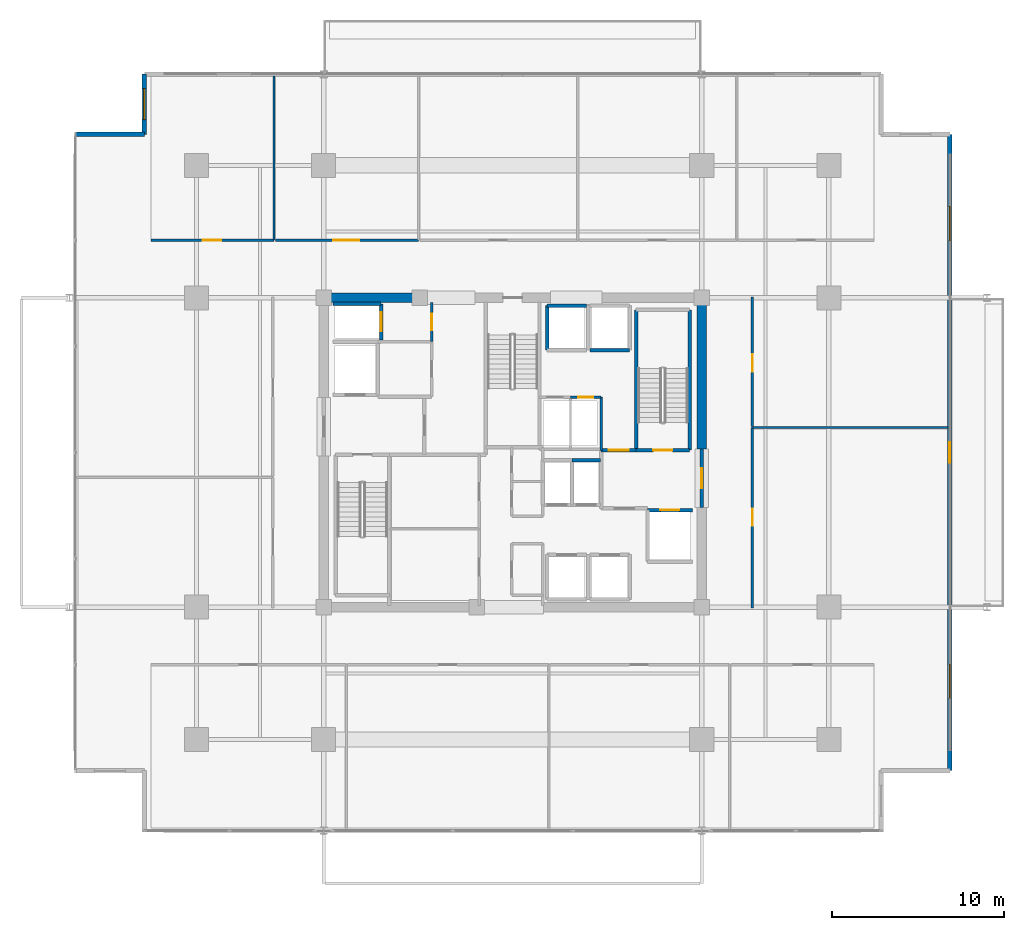
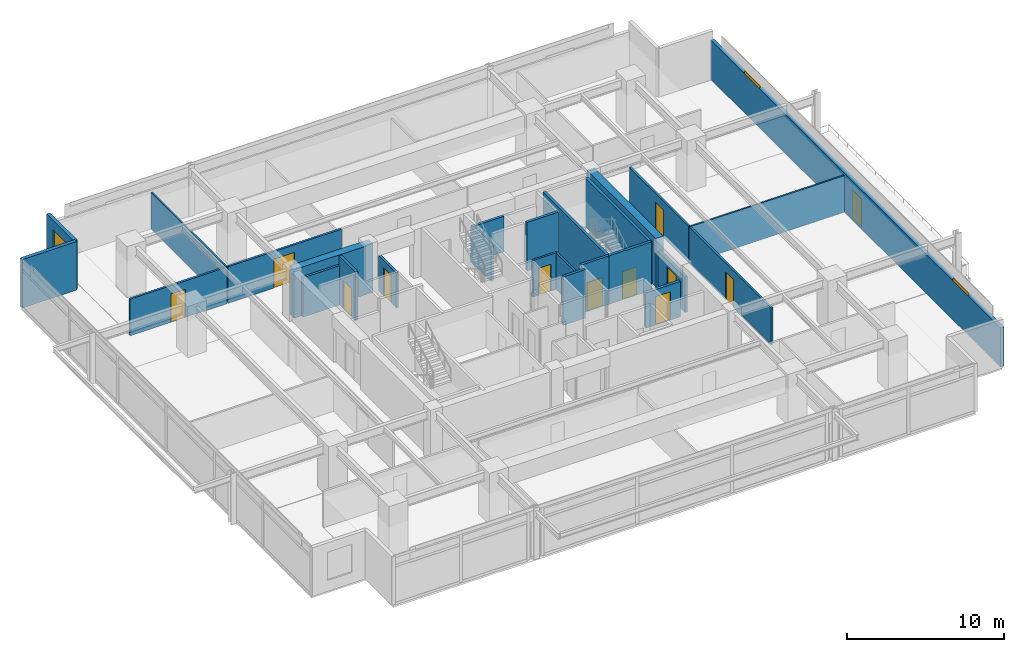
# One storey, part 16 of 21: 26 walls, 12 doors, 3 windows, 15 openings.
"""IFC4 building model written with IfcOpenShell, lengths in metres."""

from ifc_helpers import new_model, si_unit, direction, frame, frame_2d, origin, place, context, subcontext, project, spatial, rectangle, extrude, material, layer, layer_set, type_object, element, fill, save


model = new_model("IFC4")

# Units and contexts
model_context = context("Model", 3, precision=1e-05, world=origin(), true_north=direction((0.0, 1.0)))
body_context = subcontext(model_context, "Body", "Model", "MODEL_VIEW")
ifc_project = project(units=[si_unit("LENGTHUNIT", "METRE"), si_unit("AREAUNIT", "SQUARE_METRE"), si_unit("VOLUMEUNIT", "CUBIC_METRE"), si_unit("PLANEANGLEUNIT", "RADIAN"), si_unit("MASSUNIT", "GRAM", prefix="KILO")], contexts=[model_context])

# Site, building, storey
site_placement = place(None, origin())
site = spatial("IfcSite", under=ifc_project, at=site_placement, CompositionType="ELEMENT")
building_placement = place(site_placement, origin())
building = spatial("IfcBuilding", under=site, at=building_placement, Name="Kovane Verandah Tower", CompositionType="ELEMENT")
storey_placement = place(building_placement, frame((0.0, 0.0, 217.199951171875)))
storey = spatial("IfcBuildingStorey", under=building, at=storey_placement, Name="L50", CompositionType="ELEMENT", Elevation=217.199951171875)

# Wall, opening, door
ifc_material_1 = material(Name="Fire-Rated Gypsum Stud Partition", Category="gypsum")
ifc_layer_1 = layer(ifc_material_1, 0.14990234375)
ifc_layer_set_1 = layer_set([ifc_layer_1], Name="Fire-Rated Gypsum Stud Partition")
wall_type_1 = type_object("IfcWallType", Name="WL-COR-150", PredefinedType="PARTITIONING", material=ifc_layer_set_1)
wall_1_placement = place(storey_placement, frame((35.280029296875, 33.949951171875, 0.0), z_axis=(0.0, 0.0, 1.0), x_axis=(0.0, 1.0, 0.0)))
wall_1 = element("IfcWall", 1, at=wall_1_placement, inside=storey, type_object=wall_type_1, Name="L50 Goods Lift Lobby East Fire Partition", PredefinedType="PARTITIONING", context=body_context, shape_type="SweptSolid", body=[
    extrude(rectangle(XDim=2.27001953125, YDim=0.14990234375, at=frame_2d((1.135009765625, 0.0))), origin(), (0.0, 0.0, 1.0), 2.755126953125),
])
opening_1_placement = place(wall_1_placement, frame((0.659912109375, 0.0, 0.0)))
opening_1 = element("IfcOpeningElement", 2, at=opening_1_placement, cuts=wall_1, Name="Opening DR-L50-008", PredefinedType="OPENING", context=body_context, shape_type="SweptSolid", body=[
    extrude(rectangle(XDim=0.949951171875, YDim=2.14990234375, at=frame_2d((0.47509765625, 1.074951171875))), frame((0.0, 0.074951171875, 0.0), z_axis=(0.0, -1.0, 0.0), x_axis=(1.0, 0.0, 0.0)), (0.0, 0.0, 1.0), 0.14990234375),
])
ifc_material_2 = material(Name="Fire-Rated Steel Refuge and Lobby Door", Category="steel")
door_type_1 = type_object("IfcDoorType", Name="DR-FIRE-950", OperationType="SINGLE_SWING_LEFT", PredefinedType="DOOR", material=ifc_material_2)
door_1_placement = place(opening_1_placement, origin())
door_1 = element("IfcDoor", 3, at=door_1_placement, inside=storey, type_object=door_type_1, Name="L50 Goods Lift Lobby Fire Door", OperationType="SINGLE_SWING_RIGHT", OverallHeight=2.14990234375, OverallWidth=0.949951171875, PredefinedType="DOOR", context=body_context, shape_type="SweptSolid", body=[
    extrude(rectangle(XDim=0.949951171875, YDim=2.14990234375, at=frame_2d((0.47509765625, 1.074951171875))), frame((0.0, 0.02490234375, 0.0), z_axis=(0.0, -1.0, 0.0), x_axis=(1.0, 0.0, 0.0)), (0.0, 0.0, 1.0), 0.050048828125),
])
fill(opening_1, door_1)

# Wall
wall_2_placement = place(storey_placement, frame((45.14990234375, 27.6201171875, 0.0), z_axis=(0.0, 0.0, 1.0), x_axis=(0.0, 1.0, 0.0)))
element("IfcWall", 4, at=wall_2_placement, inside=storey, type_object=wall_type_1, Name="L50 East Core Service Riser East Wall", PredefinedType="PARTITIONING", context=body_context, shape_type="SweptSolid", body=[
    extrude(rectangle(XDim=3.099853515625, YDim=0.14990234375, at=frame_2d((1.5498046875, 0.0))), origin(), (0.0, 0.0, 1.0), 2.85009765625),
])

# Wall, opening, door
wall_3_placement = place(storey_placement, frame((43.360107421875, 30.719970703125, 0.0), z_axis=(0.0, 0.0, 1.0), x_axis=(1.0, 0.0, 0.0)))
wall_3 = element("IfcWall", 5, at=wall_3_placement, inside=storey, type_object=wall_type_1, Name="L50 Smoke Extract Duct Room Partition", PredefinedType="PARTITIONING", context=body_context, shape_type="SweptSolid", body=[
    extrude(rectangle(XDim=1.789794921875, YDim=0.14990234375, at=frame_2d((0.89501953125, 0.0))), origin(), (0.0, 0.0, 1.0), 2.85009765625),
])
opening_2_placement = place(wall_3_placement, frame((0.455078125, 0.0, 0.0)))
opening_2 = element("IfcOpeningElement", 6, at=opening_2_placement, cuts=wall_3, Name="Opening DR-L50-017", PredefinedType="OPENING", context=body_context, shape_type="SweptSolid", body=[
    extrude(rectangle(XDim=0.8798828125, YDim=2.10009765625, at=frame_2d((0.43994140625, 1.050048828125))), frame((0.0, 0.074951171875, 0.0), z_axis=(0.0, -1.0, 0.0), x_axis=(1.0, 0.0, 0.0)), (0.0, 0.0, 1.0), 0.14990234375),
])
ifc_material_3 = material(Name="Fire-Rated Steel Riser Access Door", Category="steel")
door_type_2 = type_object("IfcDoorType", Name="DR-RISER-880", OperationType="SINGLE_SWING_LEFT", PredefinedType="DOOR", material=ifc_material_3)
door_2_placement = place(opening_2_placement, origin())
door_2 = element("IfcDoor", 7, at=door_2_placement, inside=storey, type_object=door_type_2, Name="L50 Smoke Extract Duct Room Door", OperationType="SINGLE_SWING_LEFT", OverallHeight=2.10009765625, OverallWidth=0.8798828125, PredefinedType="DOOR", context=body_context, shape_type="SweptSolid", body=[
    extrude(rectangle(XDim=0.8798828125, YDim=2.10009765625, at=frame_2d((0.43994140625, 1.050048828125))), frame((0.0, 0.02490234375, 0.0), z_axis=(0.0, -1.0, 0.0), x_axis=(1.0, 0.0, 0.0)), (0.0, 0.0, 1.0), 0.050048828125),
])
fill(opening_2, door_2)

wall_4_placement = place(storey_placement, frame((18.962646484375, 39.85009765625, 0.0), z_axis=(0.0, 0.0, 1.0), x_axis=(1.0, 0.0, 0.0)))
wall_4 = element("IfcWall", 8, at=wall_4_placement, inside=storey, type_object=wall_type_1, Name="L50 Executive Office N1 Corridor Partition", PredefinedType="PARTITIONING", context=body_context, shape_type="SweptSolid", body=[
    extrude(rectangle(XDim=7.152587890625, YDim=0.14990234375, at=frame_2d((3.576171875, 0.0))), origin(), (0.0, 0.0, 1.0), 2.85009765625),
])
opening_3_placement = place(wall_4_placement, frame((3.016357421875, 0.0, 0.0)))
opening_3 = element("IfcOpeningElement", 9, at=opening_3_placement, cuts=wall_4, Name="Opening DR-L50-018", PredefinedType="OPENING", context=body_context, shape_type="SweptSolid", body=[
    extrude(rectangle(XDim=1.050048828125, YDim=2.199951171875, at=frame_2d((0.52490234375, 1.10009765625))), frame((0.0, 0.074951171875, 0.0), z_axis=(0.0, -1.0, 0.0), x_axis=(1.0, 0.0, 0.0)), (0.0, 0.0, 1.0), 0.14990234375),
])
ifc_material_4 = material(Name="FSC Blackbutt Timber Fire-Rated Executive Door", Category="wood")
door_type_3 = type_object("IfcDoorType", Name="DR-EXEC-1050", OperationType="SINGLE_SWING_LEFT", PredefinedType="DOOR", material=ifc_material_4)
door_3_placement = place(opening_3_placement, origin())
door_3 = element("IfcDoor", 10, at=door_3_placement, inside=storey, type_object=door_type_3, Name="L50 Executive Office N1 Entrance Door", OperationType="SINGLE_SWING_RIGHT", OverallHeight=2.199951171875, OverallWidth=1.050048828125, PredefinedType="DOOR", context=body_context, shape_type="SweptSolid", body=[
    extrude(rectangle(XDim=1.050048828125, YDim=2.199951171875, at=frame_2d((0.52490234375, 1.10009765625))), frame((0.0, 0.02490234375, 0.0), z_axis=(0.0, -1.0, 0.0), x_axis=(1.0, 0.0, 0.0)), (0.0, 0.0, 1.0), 0.050048828125),
])
fill(opening_3, door_3)

wall_5_placement = place(storey_placement, frame((26.185302734375, 39.85009765625, 0.0), z_axis=(0.0, 0.0, 1.0), x_axis=(1.0, 0.0, 0.0)))
wall_5 = element("IfcWall", 11, at=wall_5_placement, inside=storey, type_object=wall_type_1, Name="L50 Client Boardroom N2 Corridor Partition", PredefinedType="PARTITIONING", context=body_context, shape_type="SweptSolid", body=[
    extrude(rectangle(XDim=8.344970703125, YDim=0.14990234375, at=frame_2d((4.17236328125, 0.0))), origin(), (0.0, 0.0, 1.0), 2.85009765625),
])
opening_4_placement = place(wall_5_placement, frame((3.387451171875, 0.0, 0.0)))
opening_4 = element("IfcOpeningElement", 12, at=opening_4_placement, cuts=wall_5, Name="Opening DR-L50-019", PredefinedType="OPENING", context=body_context, shape_type="SweptSolid", body=[
    extrude(rectangle(XDim=1.5, YDim=2.25, at=frame_2d((0.75, 1.125))), frame((0.0, 0.074951171875, 0.0), z_axis=(0.0, -1.0, 0.0), x_axis=(1.0, 0.0, 0.0)), (0.0, 0.0, 1.0), 0.14990234375),
])
ifc_material_5 = material(Name="Glazed Timber Fire-Rated Double Door", Category="wood")
door_type_4 = type_object("IfcDoorType", Name="DR-CONF-1500", OperationType="DOUBLE_DOOR_SINGLE_SWING", PredefinedType="DOOR", material=ifc_material_5)
door_4_placement = place(opening_4_placement, origin())
door_4 = element("IfcDoor", 13, at=door_4_placement, inside=storey, type_object=door_type_4, Name="L50 Client Boardroom N2 Entrance Door", OperationType="DOUBLE_DOOR_SINGLE_SWING", OverallHeight=2.25, OverallWidth=1.5, PredefinedType="DOOR", context=body_context, shape_type="SweptSolid", body=[
    extrude(rectangle(XDim=1.5, YDim=2.25, at=frame_2d((0.75, 1.125))), frame((0.0, 0.02490234375, 0.0), z_axis=(0.0, -1.0, 0.0), x_axis=(1.0, 0.0, 0.0)), (0.0, 0.0, 1.0), 0.050048828125),
])
fill(opening_4, door_4)

wall_6_placement = place(storey_placement, frame((53.949951171875, 18.449951171875, 0.0), z_axis=(0.0, 0.0, 1.0), x_axis=(0.0, 1.0, 0.0)))
wall_6 = element("IfcWall", 14, at=wall_6_placement, inside=storey, type_object=wall_type_1, Name="L50 Focus Studio E1 Corridor Partition", PredefinedType="PARTITIONING", context=body_context, shape_type="SweptSolid", body=[
    extrude(rectangle(XDim=10.498046875, YDim=0.14990234375, at=frame_2d((5.2490234375, 0.0))), origin(), (0.0, 0.0, 1.0), 2.85009765625),
])
opening_5_placement = place(wall_6_placement, frame((4.7890625, 0.0, 0.0)))
opening_5 = element("IfcOpeningElement", 15, at=opening_5_placement, cuts=wall_6, Name="Opening DR-L50-012", PredefinedType="OPENING", context=body_context, shape_type="SweptSolid", body=[
    extrude(rectangle(XDim=1.0, YDim=2.14990234375, at=frame_2d((0.5, 1.074951171875))), frame((0.0, 0.074951171875, 0.0), z_axis=(0.0, -1.0, 0.0), x_axis=(1.0, 0.0, 0.0)), (0.0, 0.0, 1.0), 0.14990234375),
])
ifc_material_6 = material(Name="FSC Spotted-Gum Timber Fire-Rated Office Door", Category="wood")
door_type_5 = type_object("IfcDoorType", Name="DR-OFF-1000", OperationType="SINGLE_SWING_LEFT", PredefinedType="DOOR", material=ifc_material_6)
door_5_placement = place(opening_5_placement, origin())
door_5 = element("IfcDoor", 16, at=door_5_placement, inside=storey, type_object=door_type_5, Name="L50 Focus Studio E1 Entrance Door", OperationType="SINGLE_SWING_LEFT", OverallHeight=2.14990234375, OverallWidth=1.0, PredefinedType="DOOR", context=body_context, shape_type="SweptSolid", body=[
    extrude(rectangle(XDim=1.0, YDim=2.14990234375, at=frame_2d((0.5, 1.074951171875))), frame((0.0, 0.02490234375, 0.0), z_axis=(0.0, -1.0, 0.0), x_axis=(1.0, 0.0, 0.0)), (0.0, 0.0, 1.0), 0.050048828125),
])
fill(opening_5, door_5)

wall_7_placement = place(storey_placement, frame((53.949951171875, 29.01806640625, 0.0), z_axis=(0.0, 0.0, 1.0), x_axis=(0.0, 1.0, 0.0)))
wall_7 = element("IfcWall", 17, at=wall_7_placement, inside=storey, type_object=wall_type_1, Name="L50 Breakout Pantry E2 Corridor Partition", PredefinedType="PARTITIONING", context=body_context, shape_type="SweptSolid", body=[
    extrude(rectangle(XDim=7.531982421875, YDim=0.14990234375, at=frame_2d((3.76611328125, 0.0))), origin(), (0.0, 0.0, 1.0), 2.85009765625),
])
opening_6_placement = place(wall_7_placement, frame((3.19091796875, 0.0, 0.0)))
opening_6 = element("IfcOpeningElement", 18, at=opening_6_placement, cuts=wall_7, Name="Opening DR-L50-013", PredefinedType="OPENING", context=body_context, shape_type="SweptSolid", body=[
    extrude(rectangle(XDim=1.0, YDim=2.14990234375, at=frame_2d((0.5, 1.074951171875))), frame((0.0, 0.074951171875, 0.0), z_axis=(0.0, -1.0, 0.0), x_axis=(1.0, 0.0, 0.0)), (0.0, 0.0, 1.0), 0.14990234375),
])
door_6_placement = place(opening_6_placement, origin())
door_6 = element("IfcDoor", 19, at=door_6_placement, inside=storey, type_object=door_type_5, Name="L50 Breakout Pantry E2 Entrance Door", OperationType="SINGLE_SWING_RIGHT", OverallHeight=2.14990234375, OverallWidth=1.0, PredefinedType="DOOR", context=body_context, shape_type="SweptSolid", body=[
    extrude(rectangle(XDim=1.0, YDim=2.14990234375, at=frame_2d((0.5, 1.074951171875))), frame((0.0, 0.02490234375, 0.0), z_axis=(0.0, -1.0, 0.0), x_axis=(1.0, 0.0, 0.0)), (0.0, 0.0, 1.0), 0.050048828125),
])
fill(opening_6, door_6)

# Walls
ifc_material_7 = material(Name="Concrete C60/75", Category="concrete")
ifc_layer_2 = layer(ifc_material_7, 0.550048828125)
ifc_layer_set_2 = layer_set([ifc_layer_2], Name="Concrete C60/75")
wall_type_2 = type_object("IfcWallType", Name="WL-CORE-550", PredefinedType="SHEAR", material=ifc_layer_set_2)
wall_8_placement = place(storey_placement, frame((29.0, 36.5, 0.0), z_axis=(0.0, 0.0, 1.0), x_axis=(1.0, 0.0, 0.0)))
element("IfcWall", 20, at=wall_8_placement, inside=storey, type_object=wall_type_2, Name="L50 Core Shear Wall CN-1", PredefinedType="SHEAR", context=body_context, shape_type="SweptSolid", body=[
    extrude(rectangle(XDim=5.800048828125, YDim=0.550048828125, at=frame_2d((2.89990234375, 0.0))), origin(), (0.0, 0.0, 1.0), 3.775146484375),
])
wall_9_placement = place(storey_placement, frame((51.0, 27.699951171875, 0.0), z_axis=(0.0, 0.0, 1.0), x_axis=(0.0, 1.0, 0.0)))
element("IfcWall", 21, at=wall_9_placement, inside=storey, type_object=wall_type_2, Name="L50 Core Shear Wall CE-2", PredefinedType="SHEAR", context=body_context, shape_type="SweptSolid", body=[
    extrude(rectangle(XDim=8.800048828125, YDim=0.550048828125, at=frame_2d((4.39990234375, 0.0))), origin(), (0.0, 0.0, 1.0), 3.775146484375),
])

# Wall, opening, door
ifc_material_8 = material(Name="Concrete C45/55 Fire Wall", Category="concrete")
ifc_layer_3 = layer(ifc_material_8, 0.199951171875)
ifc_layer_set_3 = layer_set([ifc_layer_3], Name="Concrete C45/55 Fire Wall")
wall_type_3 = type_object("IfcWallType", Name="WL-FFL-200", PredefinedType="PARTITIONING", material=ifc_layer_set_3)
wall_10_placement = place(storey_placement, frame((45.14990234375, 27.6201171875, 0.0), z_axis=(0.0, 0.0, 1.0), x_axis=(1.0, 0.0, 0.0)))
wall_10 = element("IfcWall", 22, at=wall_10_placement, inside=storey, type_object=wall_type_3, Name="W-L50-FFLE-N", PredefinedType="PARTITIONING", context=body_context, shape_type="SweptSolid", body=[
    extrude(rectangle(XDim=2.030029296875, YDim=0.199951171875, at=frame_2d((1.01513671875, 0.0))), origin(), (0.0, 0.0, 1.0), 3.775146484375),
])
opening_7_placement = place(wall_10_placement, frame((0.43994140625, 0.0, 0.0)))
opening_7 = element("IfcOpeningElement", 23, at=opening_7_placement, cuts=wall_10, Name="Opening DR-L50-004", PredefinedType="OPENING", context=body_context, shape_type="SweptSolid", body=[
    extrude(rectangle(XDim=1.14990234375, YDim=2.199951171875, at=frame_2d((0.574951171875, 1.10009765625))), frame((0.0, 0.10009765625, 0.0), z_axis=(0.0, -1.0, 0.0), x_axis=(1.0, 0.0, 0.0)), (0.0, 0.0, 1.0), 0.199951171875),
])
ifc_material_9 = material(Name="Smoke-Sealed Firefighting Lobby Door", Category="steel")
door_type_6 = type_object("IfcDoorType", Name="DR-FFL-1150", OperationType="SINGLE_SWING_LEFT", PredefinedType="DOOR", material=ifc_material_9)
door_7_placement = place(opening_7_placement, origin())
door_7 = element("IfcDoor", 24, at=door_7_placement, inside=storey, type_object=door_type_6, Name="L50 East Firefighting Lobby Shuttle Link Door", OperationType="SINGLE_SWING_LEFT", OverallHeight=2.199951171875, OverallWidth=1.14990234375, PredefinedType="DOOR", context=body_context, shape_type="SweptSolid", body=[
    extrude(rectangle(XDim=1.14990234375, YDim=2.199951171875, at=frame_2d((0.574951171875, 1.10009765625))), frame((0.0, 0.02490234375, 0.0), z_axis=(0.0, -1.0, 0.0), x_axis=(1.0, 0.0, 0.0)), (0.0, 0.0, 1.0), 0.050048828125),
])
fill(opening_7, door_7)

wall_11_placement = place(storey_placement, frame((51.0, 24.300048828125, 0.0), z_axis=(0.0, 0.0, 1.0), x_axis=(0.0, 1.0, 0.0)))
wall_11 = element("IfcWall", 25, at=wall_11_placement, inside=storey, type_object=wall_type_3, Name="W-L50-FFLE-OUT", PredefinedType="PARTITIONING", context=body_context, shape_type="SweptSolid", body=[
    extrude(rectangle(XDim=3.39990234375, YDim=0.199951171875, at=frame_2d((1.699951171875, 0.0))), origin(), (0.0, 0.0, 1.0), 2.755126953125),
])
opening_8_placement = place(wall_11_placement, frame((1.125, 0.0, 0.0)))
opening_8 = element("IfcOpeningElement", 26, at=opening_8_placement, cuts=wall_11, Name="Opening DR-L50-005", PredefinedType="OPENING", context=body_context, shape_type="SweptSolid", body=[
    extrude(rectangle(XDim=1.14990234375, YDim=2.199951171875, at=frame_2d((0.574951171875, 1.10009765625))), frame((0.0, 0.10009765625, 0.0), z_axis=(0.0, -1.0, 0.0), x_axis=(1.0, 0.0, 0.0)), (0.0, 0.0, 1.0), 0.199951171875),
])
door_8_placement = place(opening_8_placement, origin())
door_8 = element("IfcDoor", 27, at=door_8_placement, inside=storey, type_object=door_type_6, Name="L50 East Firefighting Lobby Corridor Door", OperationType="SINGLE_SWING_LEFT", OverallHeight=2.199951171875, OverallWidth=1.14990234375, PredefinedType="DOOR", context=body_context, shape_type="SweptSolid", body=[
    extrude(rectangle(XDim=1.14990234375, YDim=2.199951171875, at=frame_2d((0.574951171875, 1.10009765625))), frame((0.0, 0.02490234375, 0.0), z_axis=(0.0, -1.0, 0.0), x_axis=(1.0, 0.0, 0.0)), (0.0, 0.0, 1.0), 0.050048828125),
])
fill(opening_8, door_8)

ifc_material_10 = material(Name="Concrete C45/55 Lift Shaft Wall", Category="concrete")
ifc_layer_4 = layer(ifc_material_10, 0.199951171875)
ifc_layer_set_4 = layer_set([ifc_layer_4], Name="Concrete C45/55 Lift Shaft Wall")
wall_type_4 = type_object("IfcWallType", Name="WL-LIFT-200", PredefinedType="SOLIDWALL", material=ifc_layer_set_4)
wall_12_placement = place(storey_placement, frame((50.449951171875, 24.14990234375, 0.0), z_axis=(0.0, 0.0, 1.0), x_axis=(-1.0, 0.0, 0.0)))
wall_12 = element("IfcWall", 28, at=wall_12_placement, inside=storey, type_object=wall_type_4, Name="L50 Lift FL-02 N Shaft Wall", PredefinedType="SOLIDWALL", context=body_context, shape_type="SweptSolid", body=[
    extrude(rectangle(XDim=2.599853515625, YDim=0.199951171875, at=frame_2d((1.2998046875, 0.0))), origin(), (0.0, 0.0, 1.0), 2.755126953125),
])
opening_9_placement = place(wall_12_placement, frame((0.75, 0.0, 0.0)))
opening_9 = element("IfcOpeningElement", 29, at=opening_9_placement, cuts=wall_12, Name="Opening LD-L50-002", PredefinedType="OPENING", context=body_context, shape_type="SweptSolid", body=[
    extrude(rectangle(XDim=1.10009765625, YDim=2.199951171875, at=frame_2d((0.550048828125, 1.10009765625))), frame((0.0, 0.10009765625, 0.0), z_axis=(0.0, -1.0, 0.0), x_axis=(1.0, 0.0, 0.0)), (0.0, 0.0, 1.0), 0.199951171875),
])
ifc_material_11 = material(Name="Brushed Stainless Steel Sliding Lift Landing Door", Category="steel")
door_type_7 = type_object("IfcDoorType", Name="DR-LIFT-1100", OperationType="SLIDING_TO_RIGHT", PredefinedType="DOOR", material=ifc_material_11)
door_9_placement = place(opening_9_placement, origin())
door_9 = element("IfcDoor", 30, at=door_9_placement, inside=storey, type_object=door_type_7, Name="L50 Lift FL-02 Sliding Landing Door", OperationType="SLIDING_TO_RIGHT", OverallHeight=2.199951171875, OverallWidth=1.10009765625, PredefinedType="DOOR", context=body_context, shape_type="SweptSolid", body=[
    extrude(rectangle(XDim=1.10009765625, YDim=2.199951171875, at=frame_2d((0.550048828125, 1.10009765625))), frame((0.0, 0.02490234375, 0.0), z_axis=(0.0, -1.0, 0.0), x_axis=(1.0, 0.0, 0.0)), (0.0, 0.0, 1.0), 0.050048828125),
])
fill(opening_9, door_9)

# Wall
wall_13_placement = place(storey_placement, frame((32.35009765625, 36.14990234375, 0.0), z_axis=(0.0, 0.0, 1.0), x_axis=(-1.0, 0.0, 0.0)))
element("IfcWall", 31, at=wall_13_placement, inside=storey, type_object=wall_type_4, Name="L50 Lift GL-01 N Shaft Wall", PredefinedType="SOLIDWALL", context=body_context, shape_type="SweptSolid", body=[
    extrude(rectangle(XDim=2.800048828125, YDim=0.199951171875, at=frame_2d((1.39990234375, 0.0))), origin(), (0.0, 0.0, 1.0), 3.06201171875),
])

# Wall, opening, door
wall_14_placement = place(storey_placement, frame((32.35009765625, 34.050048828125, 0.0), z_axis=(0.0, 0.0, 1.0), x_axis=(0.0, 1.0, 0.0)))
wall_14 = element("IfcWall", 32, at=wall_14_placement, inside=storey, type_object=wall_type_4, Name="L50 Lift GL-01 E Shaft Wall", PredefinedType="SOLIDWALL", context=body_context, shape_type="SweptSolid", body=[
    extrude(rectangle(XDim=2.099853515625, YDim=0.199951171875, at=frame_2d((1.0498046875, 0.0))), origin(), (0.0, 0.0, 1.0), 3.775146484375),
])
opening_10_placement = place(wall_14_placement, frame((0.5, 0.0, 0.0)))
opening_10 = element("IfcOpeningElement", 33, at=opening_10_placement, cuts=wall_14, Name="Opening LD-L50-003", PredefinedType="OPENING", context=body_context, shape_type="SweptSolid", body=[
    extrude(rectangle(XDim=1.10009765625, YDim=2.199951171875, at=frame_2d((0.550048828125, 1.10009765625))), frame((0.0, 0.10009765625, 0.0), z_axis=(0.0, -1.0, 0.0), x_axis=(1.0, 0.0, 0.0)), (0.0, 0.0, 1.0), 0.199951171875),
])
door_10_placement = place(opening_10_placement, origin())
door_10 = element("IfcDoor", 34, at=door_10_placement, inside=storey, type_object=door_type_7, Name="L50 Lift GL-01 Sliding Landing Door", OperationType="SLIDING_TO_RIGHT", OverallHeight=2.199951171875, OverallWidth=1.10009765625, PredefinedType="DOOR", context=body_context, shape_type="SweptSolid", body=[
    extrude(rectangle(XDim=1.10009765625, YDim=2.199951171875, at=frame_2d((0.550048828125, 1.10009765625))), frame((0.0, 0.02490234375, 0.0), z_axis=(0.0, -1.0, 0.0), x_axis=(1.0, 0.0, 0.0)), (0.0, 0.0, 1.0), 0.050048828125),
])
fill(opening_10, door_10)

# Walls
wall_15_placement = place(storey_placement, frame((45.1201171875, 27.050048828125, 0.0), z_axis=(0.0, 0.0, 1.0), x_axis=(-1.0, 0.0, 0.0)))
element("IfcWall", 35, at=wall_15_placement, inside=storey, type_object=wall_type_4, Name="L50 Lift PL-M4 N Shaft Wall", PredefinedType="SOLIDWALL", context=body_context, shape_type="SweptSolid", body=[
    extrude(rectangle(XDim=1.66015625, YDim=0.199951171875, at=frame_2d((0.830078125, 0.0))), origin(), (0.0, 0.0, 1.0), 3.775146484375),
])
wall_16_placement = place(storey_placement, frame((44.300048828125, 36.050048828125, 0.0), z_axis=(0.0, 0.0, 1.0), x_axis=(-1.0, 0.0, 0.0)))
element("IfcWall", 36, at=wall_16_placement, inside=storey, type_object=wall_type_4, Name="L50 Lift SL-01 N Shaft Wall", PredefinedType="SOLIDWALL", context=body_context, shape_type="SweptSolid", body=[
    extrude(rectangle(XDim=2.300048828125, YDim=0.199951171875, at=frame_2d((1.14990234375, 0.0))), origin(), (0.0, 0.0, 1.0), 2.755126953125),
])
wall_17_placement = place(storey_placement, frame((42.0, 36.050048828125, 0.0), z_axis=(0.0, 0.0, 1.0), x_axis=(0.0, -1.0, 0.0)))
element("IfcWall", 37, at=wall_17_placement, inside=storey, type_object=wall_type_4, Name="L50 Lift SL-01 W Shaft Wall", PredefinedType="SOLIDWALL", context=body_context, shape_type="SweptSolid", body=[
    extrude(rectangle(XDim=2.60009765625, YDim=0.199951171875, at=frame_2d((1.300048828125, 0.0))), origin(), (0.0, 0.0, 1.0), 2.755126953125),
])
wall_18_placement = place(storey_placement, frame((44.5, 33.449951171875, 0.0), z_axis=(0.0, 0.0, 1.0), x_axis=(1.0, 0.0, 0.0)))
element("IfcWall", 38, at=wall_18_placement, inside=storey, type_object=wall_type_4, Name="L50 Lift OL-01 S Shaft Wall", PredefinedType="SOLIDWALL", context=body_context, shape_type="SweptSolid", body=[
    extrude(rectangle(XDim=2.300048828125, YDim=0.199951171875, at=frame_2d((1.14990234375, 0.0))), origin(), (0.0, 0.0, 1.0), 3.775146484375),
])
ifc_material_12 = material(Name="Acoustic Fire-Rated Gypsum Partition", Category="gypsum")
ifc_layer_5 = layer(ifc_material_12, 0.1201171875)
ifc_layer_set_5 = layer_set([ifc_layer_5], Name="Acoustic Fire-Rated Gypsum Partition")
wall_type_5 = type_object("IfcWallType", Name="WL-PART-120", PredefinedType="PARTITIONING", material=ifc_layer_set_5)
wall_19_placement = place(storey_placement, frame((26.115234375, 39.85009765625, 0.0), z_axis=(0.0, 0.0, 1.0), x_axis=(0.0, 1.0, 0.0)))
element("IfcWall", 39, at=wall_19_placement, inside=storey, type_object=wall_type_5, Name="L50 Executive Office N1 Dividing Partition", PredefinedType="PARTITIONING", context=body_context, shape_type="SweptSolid", body=[
    extrude(rectangle(XDim=9.564208984375, YDim=0.1201171875, at=frame_2d((4.7822265625, 0.0))), origin(), (0.0, 0.0, 1.0), 2.85009765625),
])
wall_20_placement = place(storey_placement, frame((53.949951171875, 28.947998046875, 0.0), z_axis=(0.0, 0.0, 1.0), x_axis=(1.0, 0.0, 0.0)))
element("IfcWall", 40, at=wall_20_placement, inside=storey, type_object=wall_type_5, Name="L50 Focus Studio E1 Dividing Partition", PredefinedType="PARTITIONING", context=body_context, shape_type="SweptSolid", body=[
    extrude(rectangle(XDim=11.387451171875, YDim=0.1201171875, at=frame_2d((5.69384765625, 0.0))), origin(), (0.0, 0.0, 1.0), 2.85009765625),
])
ifc_material_13 = material(Name="Concrete C45/55", Category="concrete")
ifc_layer_6 = layer(ifc_material_13, 0.199951171875)
ifc_layer_set_6 = layer_set([ifc_layer_6], Name="Concrete C45/55")
wall_type_6 = type_object("IfcWallType", Name="WL-SHAFT-200", PredefinedType="SOLIDWALL", material=ifc_layer_set_6)
wall_21_placement = place(storey_placement, frame((50.300048828125, 27.64990234375, 0.0), z_axis=(0.0, 0.0, 1.0), x_axis=(0.0, 1.0, 0.0)))
element("IfcWall", 41, at=wall_21_placement, inside=storey, type_object=wall_type_6, Name="W-L50-ST02-E", PredefinedType="SOLIDWALL", context=body_context, shape_type="SweptSolid", body=[
    extrude(rectangle(XDim=8.150146484375, YDim=0.199951171875, at=frame_2d((4.0751953125, 0.0))), origin(), (0.0, 0.0, 1.0), 3.775146484375),
])
wall_22_placement = place(storey_placement, frame((47.179931640625, 27.6201171875, 0.0), z_axis=(0.0, 0.0, 1.0), x_axis=(0.0, 1.0, 0.0)))
element("IfcWall", 42, at=wall_22_placement, inside=storey, type_object=wall_type_6, Name="W-L50-ST02-W", PredefinedType="SOLIDWALL", context=body_context, shape_type="SweptSolid", body=[
    extrude(rectangle(XDim=8.179931640625, YDim=0.199951171875, at=frame_2d((4.08984375, 0.0))), origin(), (0.0, 0.0, 1.0), 3.775146484375),
])

# Wall, opening, door
wall_23_placement = place(storey_placement, frame((47.179931640625, 27.6201171875, 0.0), z_axis=(0.0, 0.0, 1.0), x_axis=(1.0, 0.0, 0.0)))
wall_23 = element("IfcWall", 43, at=wall_23_placement, inside=storey, type_object=wall_type_6, Name="W-L50-ST02-S", PredefinedType="SOLIDWALL", context=body_context, shape_type="SweptSolid", body=[
    extrude(rectangle(XDim=3.1201171875, YDim=0.199951171875, at=frame_2d((1.56005859375, 0.0))), origin(), (0.0, 0.0, 1.0), 3.775146484375),
])
opening_11_placement = place(wall_23_placement, frame((1.010009765625, 0.0, 0.0)))
opening_11 = element("IfcOpeningElement", 44, at=opening_11_placement, cuts=wall_23, Name="Opening DR-L50-010", PredefinedType="OPENING", context=body_context, shape_type="SweptSolid", body=[
    extrude(rectangle(XDim=1.10009765625, YDim=2.14990234375, at=frame_2d((0.550048828125, 1.074951171875))), frame((0.0, 0.10009765625, 0.0), z_axis=(0.0, -1.0, 0.0), x_axis=(1.0, 0.0, 0.0)), (0.0, 0.0, 1.0), 0.199951171875),
])
ifc_material_14 = material(Name="Fire-Rated Steel Exit Door", Category="steel")
door_type_8 = type_object("IfcDoorType", Name="DR-STAIR-1100", OperationType="SINGLE_SWING_LEFT", PredefinedType="DOOR", material=ifc_material_14)
door_11_placement = place(opening_11_placement, origin())
door_11 = element("IfcDoor", 45, at=door_11_placement, inside=storey, type_object=door_type_8, Name="L50 ST-02 Fire Exit Stair Door", OperationType="SINGLE_SWING_LEFT", OverallHeight=2.14990234375, OverallWidth=1.10009765625, PredefinedType="DOOR", context=body_context, shape_type="SweptSolid", body=[
    extrude(rectangle(XDim=1.10009765625, YDim=2.14990234375, at=frame_2d((0.550048828125, 1.074951171875))), frame((0.0, 0.02490234375, 0.0), z_axis=(0.0, -1.0, 0.0), x_axis=(1.0, 0.0, 0.0)), (0.0, 0.0, 1.0), 0.050048828125),
])
fill(opening_11, door_11)

# Wall, openings, door, windows
ifc_material_15 = material(Name="Concrete C45/55 Insulated Spandrel Wall", Category="concrete")
ifc_layer_7 = layer(ifc_material_15, 0.260009765625)
ifc_layer_set_7 = layer_set([ifc_layer_7], Name="Concrete C45/55 Insulated Spandrel Wall")
wall_type_7 = type_object("IfcWallType", Name="WL-SPANDREL-260", PredefinedType="PARAPET", material=ifc_layer_set_7)
wall_24_placement = place(storey_placement, frame((65.4375, 8.985595703125, 0.0), z_axis=(0.0, 0.0, 1.0), x_axis=(0.0, 1.0, 0.0)))
wall_24 = element("IfcWall", 46, at=wall_24_placement, inside=storey, type_object=wall_type_7, Name="L50 E Verandah Access Facade Wall", PredefinedType="PARAPET", context=body_context, shape_type="SweptSolid", body=[
    extrude(rectangle(XDim=37.02880859375, YDim=0.260009765625, at=frame_2d((18.514404296875, 0.0))), origin(), (0.0, 0.0, 1.0), 3.047119140625),
])
opening_12_placement = place(wall_24_placement, frame((4.199951171875, 0.0, 0.85009765625)))
opening_12 = element("IfcOpeningElement", 47, at=opening_12_placement, cuts=wall_24, Name="Opening W-04", PredefinedType="OPENING", context=body_context, shape_type="SweptSolid", body=[
    extrude(rectangle(XDim=2.0, YDim=2.300048828125, at=frame_2d((1.0, 1.14990234375))), frame((0.0, 0.1298828125, 0.0), z_axis=(0.0, -1.0, 0.0), x_axis=(1.0, 0.0, 0.0)), (0.0, 0.0, 1.0), 0.260009765625),
])
opening_13_placement = place(wall_24_placement, frame((17.914306640625, 0.0, 0.0)))
opening_13 = element("IfcOpeningElement", 48, at=opening_13_placement, cuts=wall_24, Name="Opening DR-L50-001", PredefinedType="OPENING", context=body_context, shape_type="SweptSolid", body=[
    extrude(rectangle(XDim=1.199951171875, YDim=2.199951171875, at=frame_2d((0.60009765625, 1.10009765625))), frame((0.0, 0.1298828125, 0.0), z_axis=(0.0, -1.0, 0.0), x_axis=(1.0, 0.0, 0.0)), (0.0, 0.0, 1.0), 0.260009765625),
])
opening_14_placement = place(wall_24_placement, frame((30.82861328125, 0.0, 0.85009765625)))
opening_14 = element("IfcOpeningElement", 49, at=opening_14_placement, cuts=wall_24, Name="Opening W-04", PredefinedType="OPENING", context=body_context, shape_type="SweptSolid", body=[
    extrude(rectangle(XDim=2.0, YDim=2.300048828125, at=frame_2d((1.0, 1.14990234375))), frame((0.0, 0.1298828125, 0.0), z_axis=(0.0, -1.0, 0.0), x_axis=(1.0, 0.0, 0.0)), (0.0, 0.0, 1.0), 0.260009765625),
])
ifc_material_16 = material(Name="Cyclone-Rated Glazed Balcony Leaf Door", Category="aluminium")
door_type_9 = type_object("IfcDoorType", Name="DR-BAL-1200x2200", OperationType="SINGLE_SWING_LEFT", PredefinedType="DOOR", material=ifc_material_16)
door_12_placement = place(opening_13_placement, origin())
door_12 = element("IfcDoor", 50, at=door_12_placement, inside=storey, type_object=door_type_9, Name="L50 E Planted Balcony Access Door", OperationType="SINGLE_SWING_LEFT", OverallHeight=2.199951171875, OverallWidth=1.199951171875, PredefinedType="DOOR", context=body_context, shape_type="SweptSolid", body=[
    extrude(rectangle(XDim=1.199951171875, YDim=2.199951171875, at=frame_2d((0.60009765625, 1.10009765625))), frame((0.0, 0.02490234375, 0.0), z_axis=(0.0, -1.0, 0.0), x_axis=(1.0, 0.0, 0.0)), (0.0, 0.0, 1.0), 0.050048828125),
])
fill(opening_13, door_12)
ifc_material_17 = material(Name="Clear Low-E Laminated Double Glazing in Anodised Frame", Category="glass")
window_type_1 = type_object("IfcWindowType", Name="WN-FIXED-2000x2300", PartitioningType="SINGLE_PANEL", PredefinedType="WINDOW", material=ifc_material_17)
window_1_placement = place(opening_12_placement, origin())
window_1 = element("IfcWindow", 51, at=window_1_placement, inside=storey, type_object=window_type_1, Name="L50 E Verandah View Window 1", OverallHeight=2.300048828125, OverallWidth=2.0, PartitioningType="SINGLE_PANEL", PredefinedType="WINDOW", context=body_context, shape_type="SweptSolid", body=[
    extrude(rectangle(XDim=2.0, YDim=2.300048828125, at=frame_2d((1.0, 1.14990234375))), frame((0.0, 0.030029296875, 0.0), z_axis=(0.0, -1.0, 0.0), x_axis=(1.0, 0.0, 0.0)), (0.0, 0.0, 1.0), 0.06005859375),
])
fill(opening_12, window_1)
window_2_placement = place(opening_14_placement, origin())
window_2 = element("IfcWindow", 52, at=window_2_placement, inside=storey, type_object=window_type_1, Name="L50 E Verandah View Window 2", OverallHeight=2.300048828125, OverallWidth=2.0, PartitioningType="SINGLE_PANEL", PredefinedType="WINDOW", context=body_context, shape_type="SweptSolid", body=[
    extrude(rectangle(XDim=2.0, YDim=2.300048828125, at=frame_2d((1.0, 1.14990234375))), frame((0.0, 0.030029296875, 0.0), z_axis=(0.0, -1.0, 0.0), x_axis=(1.0, 0.0, 0.0)), (0.0, 0.0, 1.0), 0.06005859375),
])
fill(opening_14, window_2)

# Wall, opening, window
wall_25_placement = place(storey_placement, frame((18.5625, 49.514404296875, 0.0), z_axis=(0.0, 0.0, 1.0), x_axis=(0.0, -1.0, 0.0)))
wall_25 = element("IfcWall", 53, at=wall_25_placement, inside=storey, type_object=wall_type_7, Name="L50 NW Notch Cheek Wall 1", PredefinedType="PARAPET", context=body_context, shape_type="SweptSolid", body=[
    extrude(rectangle(XDim=3.5, YDim=0.260009765625, at=frame_2d((1.75, 0.0))), origin(), (0.0, 0.0, 1.0), 3.775146484375),
])
opening_15_placement = place(wall_25_placement, frame((0.85009765625, 0.0, 0.85009765625)))
opening_15 = element("IfcOpeningElement", 54, at=opening_15_placement, cuts=wall_25, Name="Opening W-03", PredefinedType="OPENING", context=body_context, shape_type="SweptSolid", body=[
    extrude(rectangle(XDim=1.800048828125, YDim=2.199951171875, at=frame_2d((0.89990234375, 1.10009765625))), frame((0.0, 0.1298828125, 0.0), z_axis=(0.0, -1.0, 0.0), x_axis=(1.0, 0.0, 0.0)), (0.0, 0.0, 1.0), 0.260009765625),
])
window_type_2 = type_object("IfcWindowType", Name="WN-NOTCH-1800x2200", PartitioningType="SINGLE_PANEL", PredefinedType="WINDOW", material=ifc_material_17)
window_3_placement = place(opening_15_placement, origin())
window_3 = element("IfcWindow", 55, at=window_3_placement, inside=storey, type_object=window_type_2, Name="L50 NW Re-Entrant Corner Operable Window", OverallHeight=2.199951171875, OverallWidth=1.800048828125, PartitioningType="SINGLE_PANEL", PredefinedType="WINDOW", context=body_context, shape_type="SweptSolid", body=[
    extrude(rectangle(XDim=1.800048828125, YDim=2.199951171875, at=frame_2d((0.89990234375, 1.10009765625))), frame((0.0, 0.030029296875, 0.0), z_axis=(0.0, -1.0, 0.0), x_axis=(1.0, 0.0, 0.0)), (0.0, 0.0, 1.0), 0.06005859375),
])
fill(opening_15, window_3)

# Wall
wall_26_placement = place(storey_placement, frame((18.5625, 46.014404296875, 0.0), z_axis=(0.0, 0.0, 1.0), x_axis=(-1.0, 0.0, 0.0)))
element("IfcWall", 56, at=wall_26_placement, inside=storey, type_object=wall_type_7, Name="L50 NW Notch Cheek Wall 2", PredefinedType="PARAPET", context=body_context, shape_type="SweptSolid", body=[
    extrude(rectangle(XDim=4.0, YDim=0.260009765625, at=frame_2d((2.0, 0.0))), origin(), (0.0, 0.0, 1.0), 3.775146484375),
])

save(model, "model.ifc")
